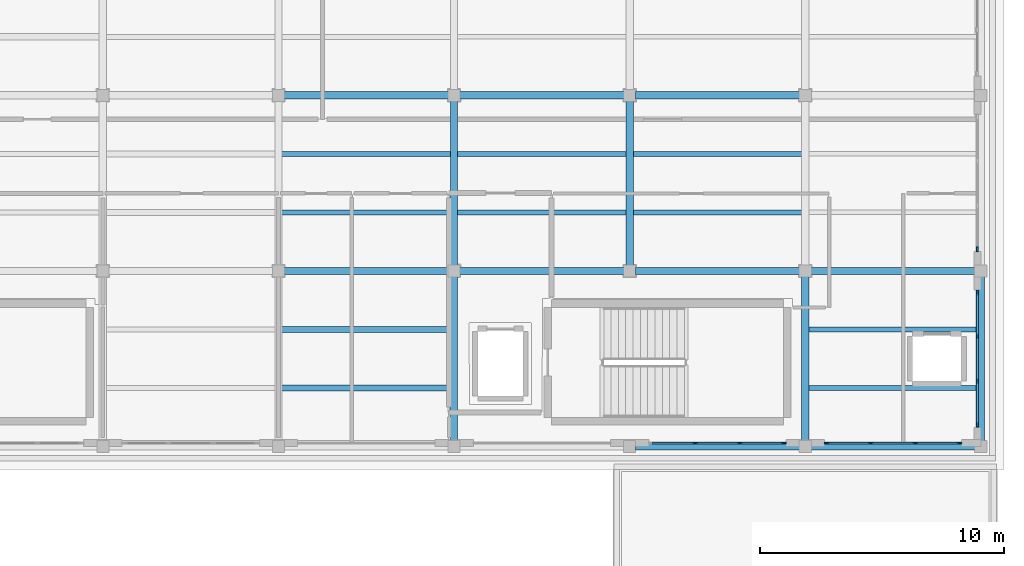
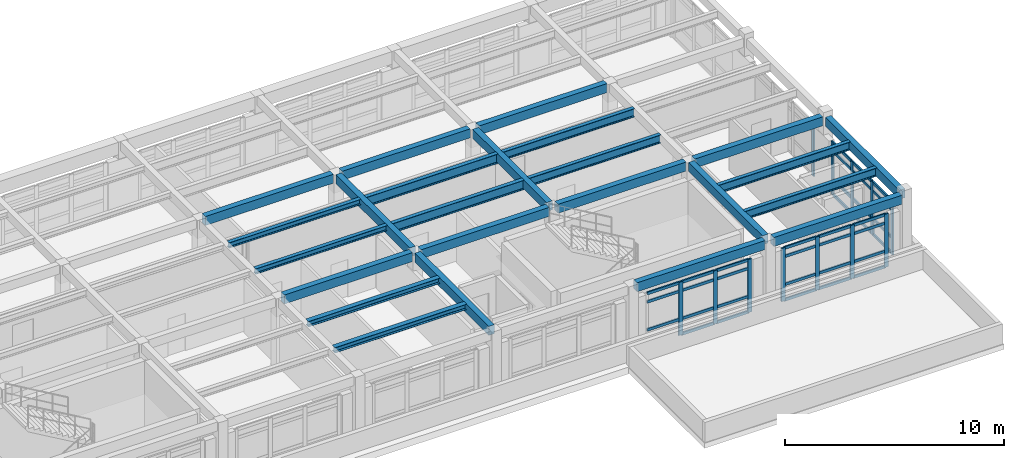
# One storey, part 5 of 15: 47 members, 24 beams, 4 elements without a shape of their own.
"""IFC4 building model written with IfcOpenShell, lengths in metres."""

from ifc_helpers import new_model, si_unit, direction, frame, origin, origin_2d, place, context, subcontext, project, spatial, rectangle, i_section, extrude, material, layer, layer_set, material_profile, profile_set, type_object, element, aggregate, save


model = new_model("IFC4")

# Units and contexts
model_context = context("Model", 3, precision=1e-05, world=origin(), true_north=direction((0.0, 1.0)))
body_context = subcontext(model_context, "Body", "Model", "MODEL_VIEW")
ifc_project = project(units=[si_unit("LENGTHUNIT", "METRE"), si_unit("AREAUNIT", "SQUARE_METRE"), si_unit("VOLUMEUNIT", "CUBIC_METRE"), si_unit("PLANEANGLEUNIT", "RADIAN"), si_unit("MASSUNIT", "GRAM", prefix="KILO")], contexts=[model_context])

# Site, building, storey
site_placement = place(None, origin())
site = spatial("IfcSite", under=ifc_project, at=site_placement, CompositionType="ELEMENT")
building_placement = place(site_placement, origin())
building = spatial("IfcBuilding", under=site, at=building_placement, Name="Solenvale Faculty of Natural Sciences", CompositionType="ELEMENT")
storey_placement = place(building_placement, frame((0.0, 0.0, 48.0)))
storey = spatial("IfcBuildingStorey", under=building, at=storey_placement, Name="L11", CompositionType="ELEMENT", Elevation=48.0)

# Beams
ifc_material_1 = material(Name="Concrete 40 MPa", Category="concrete")
ifc_material_profile_1 = material_profile(ifc_material_1, rectangle(XDim=0.300048828125, YDim=0.5, at=origin_2d()), Name="RC-BM-300x500")
ifc_profile_set_1 = profile_set([ifc_material_profile_1], Name="Concrete 40 MPa")
beam_type_1 = type_object("IfcBeamType", Name="BM-RC-300x500", PredefinedType="BEAM", material=ifc_profile_set_1)
for number, where, z_axis, x_axis, name in (
    (1, (137.030029296875, 93.60009765625, 3.669921875), (1.0, 0.0, 0.0), (0.0, 1.0, 0.0), "L11 X-Girder Y93.6 (136.8..144.0)"),
    (2, (144.22998046875, 93.60009765625, 3.669921875), (1.0, 0.0, 0.0), (0.0, 1.0, 0.0), "L11 X-Girder Y93.6 (144.0..151.2)"),
):
    element("IfcBeam", number, at=place(storey_placement, frame(where, z_axis=z_axis, x_axis=x_axis)), inside=storey, type_object=beam_type_1, Name=name, PredefinedType="BEAM", context=body_context, shape_type="SweptSolid", body=[
        extrude(rectangle(XDim=0.300048828125, YDim=0.5, at=origin_2d()), origin(), (0.0, 0.0, 1.0), 6.739990234375),
    ])
beam_1_placement = place(storey_placement, frame((122.6298828125, 100.800048828125, 3.669921875), z_axis=(1.0, 0.0, 0.0), x_axis=(0.0, 1.0, 0.0)))
element("IfcBeam", 3, at=beam_1_placement, inside=storey, type_object=beam_type_1, Name="L11 X-Girder Y100.8 (122.4..129.6)", PredefinedType="BEAM", context=body_context, shape_type="SweptSolid", body=[
    extrude(rectangle(XDim=0.300048828125, YDim=0.5, at=origin_2d()), origin(), (0.0, 0.0, 1.0), 6.740234375),
])
for number, where, z_axis, x_axis, name in (
    (4, (129.830078125, 100.800048828125, 3.669921875), (1.0, 0.0, 0.0), (0.0, 1.0, 0.0), "L11 X-Girder Y100.8 (129.6..136.8)"),
    (5, (137.030029296875, 100.800048828125, 3.669921875), (1.0, 0.0, 0.0), (0.0, 1.0, 0.0), "L11 X-Girder Y100.8 (136.8..144.0)"),
    (6, (144.22998046875, 100.800048828125, 3.669921875), (1.0, 0.0, 0.0), (0.0, 1.0, 0.0), "L11 X-Girder Y100.8 (144.0..151.2)"),
):
    element("IfcBeam", number, at=place(storey_placement, frame(where, z_axis=z_axis, x_axis=x_axis)), inside=storey, type_object=beam_type_1, Name=name, PredefinedType="BEAM", context=body_context, shape_type="SweptSolid", body=[
        extrude(rectangle(XDim=0.300048828125, YDim=0.5, at=origin_2d()), origin(), (0.0, 0.0, 1.0), 6.739990234375),
    ])
beam_2_placement = place(storey_placement, frame((122.6298828125, 108.0, 3.669921875), z_axis=(1.0, 0.0, 0.0), x_axis=(0.0, 1.0, 0.0)))
element("IfcBeam", 7, at=beam_2_placement, inside=storey, type_object=beam_type_1, Name="L11 X-Girder Y108.0 (122.4..129.6)", PredefinedType="BEAM", context=body_context, shape_type="SweptSolid", body=[
    extrude(rectangle(XDim=0.300048828125, YDim=0.5, at=origin_2d()), origin(), (0.0, 0.0, 1.0), 6.740234375),
])
for number, where, z_axis, x_axis, name in (
    (8, (129.830078125, 108.0, 3.669921875), (1.0, 0.0, 0.0), (0.0, 1.0, 0.0), "L11 X-Girder Y108.0 (129.6..136.8)"),
    (9, (137.030029296875, 108.0, 3.669921875), (1.0, 0.0, 0.0), (0.0, 1.0, 0.0), "L11 X-Girder Y108.0 (136.8..144.0)"),
    (10, (129.60009765625, 93.830078125, 3.669921875), (0.0, 1.0, 0.0), (-1.0, 0.0, 0.0), "L11 Y-Girder X129.6 (93.6..100.8)"),
    (11, (129.60009765625, 101.030029296875, 3.669921875), (0.0, 1.0, 0.0), (-1.0, 0.0, 0.0), "L11 Y-Girder X129.6 (100.8..108.0)"),
    (12, (136.800048828125, 101.030029296875, 3.669921875), (0.0, 1.0, 0.0), (-1.0, 0.0, 0.0), "L11 Y-Girder X136.8 (100.8..108.0)"),
    (13, (144.0, 93.830078125, 3.669921875), (0.0, 1.0, 0.0), (-1.0, 0.0, 0.0), "L11 Y-Girder X144.0 (93.6..100.8)"),
    (14, (151.199951171875, 93.830078125, 3.669921875), (0.0, 1.0, 0.0), (-1.0, 0.0, 0.0), "L11 Y-Girder X151.2 (93.6..100.8)"),
):
    element("IfcBeam", number, at=place(storey_placement, frame(where, z_axis=z_axis, x_axis=x_axis)), inside=storey, type_object=beam_type_1, Name=name, PredefinedType="BEAM", context=body_context, shape_type="SweptSolid", body=[
        extrude(rectangle(XDim=0.300048828125, YDim=0.5, at=origin_2d()), origin(), (0.0, 0.0, 1.0), 6.739990234375),
    ])
ifc_material_2 = material(Name="Steel S355", Category="steel")
ifc_material_profile_2 = material_profile(ifc_material_2, i_section(OverallWidth=0.202880859375, OverallDepth=0.302978515625, WebThickness=0.007568359375, FlangeThickness=0.01318359375, FilletRadius=0.014892578125, at=origin_2d()), Name="W310x60")
ifc_profile_set_2 = profile_set([ifc_material_profile_2], Name="Steel S355")
beam_type_2 = type_object("IfcBeamType", Name="BM-STL-W310x60", PredefinedType="JOIST", material=ifc_profile_set_2)
for number, where, z_axis, x_axis, name in (
    (15, (122.530029296875, 103.199951171875, 3.7685546875), (1.0, 0.0, 0.0), (0.0, 1.0, 0.0), "L11 Composite Floor Joist (18,15).1"),
    (16, (122.530029296875, 105.60009765625, 3.7685546875), (1.0, 0.0, 0.0), (0.0, 1.0, 0.0), "L11 Composite Floor Joist (18,15).2"),
):
    element("IfcBeam", number, at=place(storey_placement, frame(where, z_axis=z_axis, x_axis=x_axis)), inside=storey, type_object=beam_type_2, Name=name, PredefinedType="JOIST", context=body_context, shape_type="SweptSolid", body=[
        extrude(i_section(OverallWidth=0.202880859375, OverallDepth=0.302978515625, WebThickness=0.007568359375, FlangeThickness=0.01318359375, FilletRadius=0.014892578125, at=origin_2d()), origin(), (0.0, 0.0, 1.0), 6.93994140625),
    ])
ifc_material_profile_3 = material_profile(ifc_material_2, i_section(OverallWidth=0.25390625, OverallDepth=0.305908203125, WebThickness=0.0087890625, FlangeThickness=0.0146484375, FilletRadius=0.014892578125, at=origin_2d()), Name="W310x79")
ifc_profile_set_3 = profile_set([ifc_material_profile_3], Name="Steel S355")
beam_type_3 = type_object("IfcBeamType", Name="BM-STL-W310x79", PredefinedType="JOIST", material=ifc_profile_set_3)
for number, where, z_axis, x_axis, name in (
    (17, (122.530029296875, 96.0, 3.76708984375), (1.0, 0.0, 0.0), (0.0, 1.0, 0.0), "L11 Composite Floor Joist (18,14).1"),
    (18, (122.530029296875, 98.39990234375, 3.76708984375), (1.0, 0.0, 0.0), (0.0, 1.0, 0.0), "L11 Composite Floor Joist (18,14).2"),
):
    element("IfcBeam", number, at=place(storey_placement, frame(where, z_axis=z_axis, x_axis=x_axis)), inside=storey, type_object=beam_type_3, Name=name, PredefinedType="JOIST", context=body_context, shape_type="SweptSolid", body=[
        extrude(i_section(OverallWidth=0.25390625, OverallDepth=0.305908203125, WebThickness=0.0087890625, FlangeThickness=0.0146484375, FilletRadius=0.014892578125, at=origin_2d()), origin(), (0.0, 0.0, 1.0), 6.93994140625),
    ])
ifc_material_profile_4 = material_profile(ifc_material_2, i_section(OverallWidth=0.194091796875, OverallDepth=0.468994140625, WebThickness=0.0126953125, FlangeThickness=0.0205078125, FilletRadius=0.01806640625, at=origin_2d()), Name="W460x106")
ifc_profile_set_4 = profile_set([ifc_material_profile_4], Name="Steel S355")
beam_type_4 = type_object("IfcBeamType", Name="BM-STL-W460x106", PredefinedType="JOIST", material=ifc_profile_set_4)
for number, where, z_axis, x_axis, name in (
    (19, (136.929931640625, 103.199951171875, 3.685546875), (1.0, 0.0, 0.0), (0.0, 1.0, 0.0), "L11 Composite Floor Joist (20,15).1"),
    (20, (136.929931640625, 105.60009765625, 3.685546875), (1.0, 0.0, 0.0), (0.0, 1.0, 0.0), "L11 Composite Floor Joist (20,15).2"),
    (21, (144.1298828125, 96.0, 3.685546875), (1.0, 0.0, 0.0), (0.0, 1.0, 0.0), "L11 Composite Floor Joist (21,14).1"),
    (22, (144.1298828125, 98.39990234375, 3.685546875), (1.0, 0.0, 0.0), (0.0, 1.0, 0.0), "L11 Composite Floor Joist (21,14).2"),
):
    element("IfcBeam", number, at=place(storey_placement, frame(where, z_axis=z_axis, x_axis=x_axis)), inside=storey, type_object=beam_type_4, Name=name, PredefinedType="JOIST", context=body_context, shape_type="SweptSolid", body=[
        extrude(i_section(OverallWidth=0.194091796875, OverallDepth=0.468994140625, WebThickness=0.0126953125, FlangeThickness=0.0205078125, FilletRadius=0.01806640625, at=origin_2d()), origin(), (0.0, 0.0, 1.0), 6.940185546875),
    ])
ifc_material_profile_5 = material_profile(ifc_material_2, i_section(OverallWidth=0.208984375, OverallDepth=0.532958984375, WebThickness=0.01025390625, FlangeThickness=0.015625, FilletRadius=0.01904296875, at=origin_2d()), Name="W530x92")
ifc_profile_set_5 = profile_set([ifc_material_profile_5], Name="Steel S355")
beam_type_5 = type_object("IfcBeamType", Name="BM-STL-W530x92", PredefinedType="JOIST", material=ifc_profile_set_5)
for number, where, z_axis, x_axis, name in (
    (23, (129.72998046875, 103.199951171875, 3.653564453125), (1.0, 0.0, 0.0), (0.0, 1.0, 0.0), "L11 Composite Floor Joist (19,15).1"),
    (24, (129.72998046875, 105.60009765625, 3.653564453125), (1.0, 0.0, 0.0), (0.0, 1.0, 0.0), "L11 Composite Floor Joist (19,15).2"),
):
    element("IfcBeam", number, at=place(storey_placement, frame(where, z_axis=z_axis, x_axis=x_axis)), inside=storey, type_object=beam_type_5, Name=name, PredefinedType="JOIST", context=body_context, shape_type="SweptSolid", body=[
        extrude(i_section(OverallWidth=0.208984375, OverallDepth=0.532958984375, WebThickness=0.01025390625, FlangeThickness=0.015625, FilletRadius=0.01904296875, at=origin_2d()), origin(), (0.0, 0.0, 1.0), 6.93994140625),
    ])

# Curtain wall, members
ifc_material_3 = material(Name="Anodised bronze aluminium", Category="aluminium")
ifc_layer = layer(ifc_material_3, 0.179931640625)
ifc_layer_set = layer_set([ifc_layer], Name="Anodised bronze aluminium")
curtain_wall_type = type_object("IfcCurtainWallType", Name="CW-TWR-MOD", PredefinedType="USERDEFINED", material=ifc_layer_set)
curtain_wall_1_placement = place(storey_placement, origin())
curtain_wall_1 = element("IfcCurtainWall", 25, at=curtain_wall_1_placement, inside=storey, type_object=curtain_wall_type, Name="L11 Curtain Wall CW-L11-P1-E1-B1", ObjectType="UNITISED CURTAIN WALL", PredefinedType="USERDEFINED")
ifc_material_profile_6 = material_profile(ifc_material_3, rectangle(XDim=0.074951171875, YDim=0.2099609375, at=origin_2d()), Name="ALU-MUL-75x210")
ifc_profile_set_6 = profile_set([ifc_material_profile_6], Name="Anodised bronze aluminium")
member_type_1 = type_object("IfcMemberType", Name="CWM-ALU-75x210", PredefinedType="MULLION", material=ifc_profile_set_6)
member_1_placement = place(storey_placement, frame((151.0576171875, 94.487548828125, 0.0), z_axis=(0.0, 0.0, 1.0), x_axis=(-1.0, 0.0, 0.0)))
member_1 = element("IfcMember", 26, at=member_1_placement, type_object=member_type_1, Name="CW-04 mullion 1", PredefinedType="MULLION", context=body_context, shape_type="SweptSolid", body=[
    extrude(rectangle(XDim=0.074951171875, YDim=0.2099609375, at=origin_2d()), origin(), (0.0, 0.0, 1.0), 2.9599609375),
])
member_2_placement = place(storey_placement, frame((151.0576171875, 96.283447265625, 0.0), z_axis=(0.0, 0.0, 1.0), x_axis=(-1.0, 0.0, 0.0)))
member_2 = element("IfcMember", 27, at=member_2_placement, type_object=member_type_1, Name="CW-04 mullion 2", PredefinedType="MULLION", context=body_context, shape_type="SweptSolid", body=[
    extrude(rectangle(XDim=0.074951171875, YDim=0.2099609375, at=origin_2d()), origin(), (0.0, 0.0, 1.0), 2.9599609375),
])
member_3_placement = place(storey_placement, frame((151.0576171875, 98.11669921875, 0.0), z_axis=(0.0, 0.0, 1.0), x_axis=(-1.0, 0.0, 0.0)))
member_3 = element("IfcMember", 28, at=member_3_placement, type_object=member_type_1, Name="CW-04 mullion 3", PredefinedType="MULLION", context=body_context, shape_type="SweptSolid", body=[
    extrude(rectangle(XDim=0.074951171875, YDim=0.2099609375, at=origin_2d()), origin(), (0.0, 0.0, 1.0), 2.9599609375),
])
member_4_placement = place(storey_placement, frame((151.0576171875, 99.91259765625, 0.0), z_axis=(0.0, 0.0, 1.0), x_axis=(-1.0, 0.0, 0.0)))
member_4 = element("IfcMember", 29, at=member_4_placement, type_object=member_type_1, Name="CW-04 mullion 4", PredefinedType="MULLION", context=body_context, shape_type="SweptSolid", body=[
    extrude(rectangle(XDim=0.074951171875, YDim=0.2099609375, at=origin_2d()), origin(), (0.0, 0.0, 1.0), 2.9599609375),
])

# Curtain wall, member
curtain_wall_2_placement = place(storey_placement, origin())
curtain_wall_2 = element("IfcCurtainWall", 30, at=curtain_wall_2_placement, inside=storey, type_object=curtain_wall_type, Name="L11 Curtain Wall CW-L11-P1-E1-B2", ObjectType="UNITISED CURTAIN WALL", PredefinedType="USERDEFINED")
member_5_placement = place(storey_placement, frame((151.0576171875, 101.6875, 0.0), z_axis=(0.0, 0.0, 1.0), x_axis=(-1.0, 0.0, 0.0)))
member_5 = element("IfcMember", 31, at=member_5_placement, type_object=member_type_1, Name="CW-04 mullion 1", PredefinedType="MULLION", context=body_context, shape_type="SweptSolid", body=[
    extrude(rectangle(XDim=0.074951171875, YDim=0.2099609375, at=origin_2d()), origin(), (0.0, 0.0, 1.0), 2.9599609375),
])
aggregate(curtain_wall_2, [member_5])

# Curtain wall, members
curtain_wall_3_placement = place(storey_placement, origin())
curtain_wall_3 = element("IfcCurtainWall", 32, at=curtain_wall_3_placement, inside=storey, type_object=curtain_wall_type, Name="L11 Curtain Wall CW-L11-P1-E4-B6", ObjectType="UNITISED CURTAIN WALL", PredefinedType="USERDEFINED")
member_6_placement = place(storey_placement, frame((139.4833984375, 93.742431640625, 0.0), z_axis=(0.0, 0.0, 1.0), x_axis=(0.0, 1.0, 0.0)))
member_6 = element("IfcMember", 33, at=member_6_placement, type_object=member_type_1, Name="CW-04 mullion 2", PredefinedType="MULLION", context=body_context, shape_type="SweptSolid", body=[
    extrude(rectangle(XDim=0.074951171875, YDim=0.2099609375, at=origin_2d()), origin(), (0.0, 0.0, 1.0), 2.9599609375),
])
member_7_placement = place(storey_placement, frame((141.316650390625, 93.742431640625, 0.0), z_axis=(0.0, 0.0, 1.0), x_axis=(0.0, 1.0, 0.0)))
member_7 = element("IfcMember", 34, at=member_7_placement, type_object=member_type_1, Name="CW-04 mullion 3", PredefinedType="MULLION", context=body_context, shape_type="SweptSolid", body=[
    extrude(rectangle(XDim=0.074951171875, YDim=0.2099609375, at=origin_2d()), origin(), (0.0, 0.0, 1.0), 2.9599609375),
])
member_8_placement = place(storey_placement, frame((143.112548828125, 93.742431640625, 0.0), z_axis=(0.0, 0.0, 1.0), x_axis=(0.0, 1.0, 0.0)))
member_8 = element("IfcMember", 35, at=member_8_placement, type_object=member_type_1, Name="CW-04 mullion 4", PredefinedType="MULLION", context=body_context, shape_type="SweptSolid", body=[
    extrude(rectangle(XDim=0.074951171875, YDim=0.2099609375, at=origin_2d()), origin(), (0.0, 0.0, 1.0), 2.9599609375),
])

curtain_wall_4_placement = place(storey_placement, origin())
curtain_wall_4 = element("IfcCurtainWall", 36, at=curtain_wall_4_placement, inside=storey, type_object=curtain_wall_type, Name="L11 Curtain Wall CW-L11-P1-E4-B7", ObjectType="UNITISED CURTAIN WALL", PredefinedType="USERDEFINED")
member_9_placement = place(storey_placement, frame((144.887451171875, 93.742431640625, 0.0), z_axis=(0.0, 0.0, 1.0), x_axis=(0.0, 1.0, 0.0)))
member_9 = element("IfcMember", 37, at=member_9_placement, type_object=member_type_1, Name="CW-04 mullion 1", PredefinedType="MULLION", context=body_context, shape_type="SweptSolid", body=[
    extrude(rectangle(XDim=0.074951171875, YDim=0.2099609375, at=origin_2d()), origin(), (0.0, 0.0, 1.0), 2.9599609375),
])
member_10_placement = place(storey_placement, frame((146.683349609375, 93.742431640625, 0.0), z_axis=(0.0, 0.0, 1.0), x_axis=(0.0, 1.0, 0.0)))
member_10 = element("IfcMember", 38, at=member_10_placement, type_object=member_type_1, Name="CW-04 mullion 2", PredefinedType="MULLION", context=body_context, shape_type="SweptSolid", body=[
    extrude(rectangle(XDim=0.074951171875, YDim=0.2099609375, at=origin_2d()), origin(), (0.0, 0.0, 1.0), 2.9599609375),
])
member_11_placement = place(storey_placement, frame((148.5166015625, 93.742431640625, 0.0), z_axis=(0.0, 0.0, 1.0), x_axis=(0.0, 1.0, 0.0)))
member_11 = element("IfcMember", 39, at=member_11_placement, type_object=member_type_1, Name="CW-04 mullion 3", PredefinedType="MULLION", context=body_context, shape_type="SweptSolid", body=[
    extrude(rectangle(XDim=0.074951171875, YDim=0.2099609375, at=origin_2d()), origin(), (0.0, 0.0, 1.0), 2.9599609375),
])
member_12_placement = place(storey_placement, frame((150.3125, 93.742431640625, 0.0), z_axis=(0.0, 0.0, 1.0), x_axis=(0.0, 1.0, 0.0)))
member_12 = element("IfcMember", 40, at=member_12_placement, type_object=member_type_1, Name="CW-04 mullion 4", PredefinedType="MULLION", context=body_context, shape_type="SweptSolid", body=[
    extrude(rectangle(XDim=0.074951171875, YDim=0.2099609375, at=origin_2d()), origin(), (0.0, 0.0, 1.0), 2.9599609375),
])

# Member
ifc_material_profile_7 = material_profile(ifc_material_3, rectangle(XDim=0.074951171875, YDim=0.155029296875, at=origin_2d()), Name="ALU-TRN-75x155")
ifc_profile_set_7 = profile_set([ifc_material_profile_7], Name="Anodised bronze aluminium")
member_type_2 = type_object("IfcMemberType", Name="CWT-ALU-75x155", PredefinedType="USERDEFINED", material=ifc_profile_set_7)
member_13_placement = place(storey_placement, frame((151.0576171875, 94.52490234375, 0.03759765625), z_axis=(0.0, 1.0, 0.0), x_axis=(-1.0, 0.0, 0.0)))
member_13 = element("IfcMember", 41, at=member_13_placement, type_object=member_type_2, Name="CW-04 transom 1.1", ObjectType="TRANSOM", PredefinedType="USERDEFINED", context=body_context, shape_type="SweptSolid", body=[
    extrude(rectangle(XDim=0.074951171875, YDim=0.155029296875, at=origin_2d()), origin(), (0.0, 0.0, 1.0), 1.720947265625),
])

member_14_placement = place(storey_placement, frame((151.0576171875, 94.52490234375, 0.89990234375), z_axis=(0.0, 1.0, 0.0), x_axis=(-1.0, 0.0, 0.0)))
member_14 = element("IfcMember", 42, at=member_14_placement, type_object=member_type_2, Name="CW-04 transom 1.2", ObjectType="TRANSOM", PredefinedType="USERDEFINED", context=body_context, shape_type="SweptSolid", body=[
    extrude(rectangle(XDim=0.074951171875, YDim=0.155029296875, at=origin_2d()), origin(), (0.0, 0.0, 1.0), 1.720947265625),
])

member_15_placement = place(storey_placement, frame((151.0576171875, 94.52490234375, 2.4599609375), z_axis=(0.0, 1.0, 0.0), x_axis=(-1.0, 0.0, 0.0)))
member_15 = element("IfcMember", 43, at=member_15_placement, type_object=member_type_2, Name="CW-04 transom 1.3", ObjectType="TRANSOM", PredefinedType="USERDEFINED", context=body_context, shape_type="SweptSolid", body=[
    extrude(rectangle(XDim=0.074951171875, YDim=0.155029296875, at=origin_2d()), origin(), (0.0, 0.0, 1.0), 1.720947265625),
])

member_16_placement = place(storey_placement, frame((151.0576171875, 94.52490234375, 2.922607421875), z_axis=(0.0, 1.0, 0.0), x_axis=(-1.0, 0.0, 0.0)))
member_16 = element("IfcMember", 44, at=member_16_placement, type_object=member_type_2, Name="CW-04 transom 1.4", ObjectType="TRANSOM", PredefinedType="USERDEFINED", context=body_context, shape_type="SweptSolid", body=[
    extrude(rectangle(XDim=0.074951171875, YDim=0.155029296875, at=origin_2d()), origin(), (0.0, 0.0, 1.0), 1.720947265625),
])

member_17_placement = place(storey_placement, frame((151.0576171875, 96.32080078125, 0.03759765625), z_axis=(0.0, 1.0, 0.0), x_axis=(-1.0, 0.0, 0.0)))
member_17 = element("IfcMember", 45, at=member_17_placement, type_object=member_type_2, Name="CW-04 transom 2.1", ObjectType="TRANSOM", PredefinedType="USERDEFINED", context=body_context, shape_type="SweptSolid", body=[
    extrude(rectangle(XDim=0.074951171875, YDim=0.155029296875, at=origin_2d()), origin(), (0.0, 0.0, 1.0), 1.75830078125),
])

member_18_placement = place(storey_placement, frame((151.0576171875, 96.32080078125, 0.89990234375), z_axis=(0.0, 1.0, 0.0), x_axis=(-1.0, 0.0, 0.0)))
member_18 = element("IfcMember", 46, at=member_18_placement, type_object=member_type_2, Name="CW-04 transom 2.2", ObjectType="TRANSOM", PredefinedType="USERDEFINED", context=body_context, shape_type="SweptSolid", body=[
    extrude(rectangle(XDim=0.074951171875, YDim=0.155029296875, at=origin_2d()), origin(), (0.0, 0.0, 1.0), 1.75830078125),
])

member_19_placement = place(storey_placement, frame((151.0576171875, 96.32080078125, 2.4599609375), z_axis=(0.0, 1.0, 0.0), x_axis=(-1.0, 0.0, 0.0)))
member_19 = element("IfcMember", 47, at=member_19_placement, type_object=member_type_2, Name="CW-04 transom 2.3", ObjectType="TRANSOM", PredefinedType="USERDEFINED", context=body_context, shape_type="SweptSolid", body=[
    extrude(rectangle(XDim=0.074951171875, YDim=0.155029296875, at=origin_2d()), origin(), (0.0, 0.0, 1.0), 1.75830078125),
])

member_20_placement = place(storey_placement, frame((151.0576171875, 96.32080078125, 2.922607421875), z_axis=(0.0, 1.0, 0.0), x_axis=(-1.0, 0.0, 0.0)))
member_20 = element("IfcMember", 48, at=member_20_placement, type_object=member_type_2, Name="CW-04 transom 2.4", ObjectType="TRANSOM", PredefinedType="USERDEFINED", context=body_context, shape_type="SweptSolid", body=[
    extrude(rectangle(XDim=0.074951171875, YDim=0.155029296875, at=origin_2d()), origin(), (0.0, 0.0, 1.0), 1.75830078125),
])

member_21_placement = place(storey_placement, frame((151.0576171875, 98.154052734375, 0.03759765625), z_axis=(0.0, 1.0, 0.0), x_axis=(-1.0, 0.0, 0.0)))
member_21 = element("IfcMember", 49, at=member_21_placement, type_object=member_type_2, Name="CW-04 transom 3.1", ObjectType="TRANSOM", PredefinedType="USERDEFINED", context=body_context, shape_type="SweptSolid", body=[
    extrude(rectangle(XDim=0.074951171875, YDim=0.155029296875, at=origin_2d()), origin(), (0.0, 0.0, 1.0), 1.720947265625),
])

member_22_placement = place(storey_placement, frame((151.0576171875, 98.154052734375, 0.89990234375), z_axis=(0.0, 1.0, 0.0), x_axis=(-1.0, 0.0, 0.0)))
member_22 = element("IfcMember", 50, at=member_22_placement, type_object=member_type_2, Name="CW-04 transom 3.2", ObjectType="TRANSOM", PredefinedType="USERDEFINED", context=body_context, shape_type="SweptSolid", body=[
    extrude(rectangle(XDim=0.074951171875, YDim=0.155029296875, at=origin_2d()), origin(), (0.0, 0.0, 1.0), 1.720947265625),
])

member_23_placement = place(storey_placement, frame((151.0576171875, 98.154052734375, 2.4599609375), z_axis=(0.0, 1.0, 0.0), x_axis=(-1.0, 0.0, 0.0)))
member_23 = element("IfcMember", 51, at=member_23_placement, type_object=member_type_2, Name="CW-04 transom 3.3", ObjectType="TRANSOM", PredefinedType="USERDEFINED", context=body_context, shape_type="SweptSolid", body=[
    extrude(rectangle(XDim=0.074951171875, YDim=0.155029296875, at=origin_2d()), origin(), (0.0, 0.0, 1.0), 1.720947265625),
])

member_24_placement = place(storey_placement, frame((151.0576171875, 98.154052734375, 2.922607421875), z_axis=(0.0, 1.0, 0.0), x_axis=(-1.0, 0.0, 0.0)))
member_24 = element("IfcMember", 52, at=member_24_placement, type_object=member_type_2, Name="CW-04 transom 3.4", ObjectType="TRANSOM", PredefinedType="USERDEFINED", context=body_context, shape_type="SweptSolid", body=[
    extrude(rectangle(XDim=0.074951171875, YDim=0.155029296875, at=origin_2d()), origin(), (0.0, 0.0, 1.0), 1.720947265625),
])

aggregate(curtain_wall_1, [member_1, member_2, member_3, member_4, member_13, member_14, member_15, member_16, member_17, member_18, member_19, member_20, member_21, member_22, member_23, member_24])

member_25_placement = place(storey_placement, frame((137.72509765625, 93.742431640625, 0.89990234375), z_axis=(1.0, 0.0, 0.0), x_axis=(0.0, 1.0, 0.0)))
member_25 = element("IfcMember", 53, at=member_25_placement, type_object=member_type_2, Name="CW-04 transom 1.2", ObjectType="TRANSOM", PredefinedType="USERDEFINED", context=body_context, shape_type="SweptSolid", body=[
    extrude(rectangle(XDim=0.074951171875, YDim=0.155029296875, at=origin_2d()), origin(), (0.0, 0.0, 1.0), 1.720703125),
])

member_26_placement = place(storey_placement, frame((137.72509765625, 93.742431640625, 2.4599609375), z_axis=(1.0, 0.0, 0.0), x_axis=(0.0, 1.0, 0.0)))
member_26 = element("IfcMember", 54, at=member_26_placement, type_object=member_type_2, Name="CW-04 transom 1.3", ObjectType="TRANSOM", PredefinedType="USERDEFINED", context=body_context, shape_type="SweptSolid", body=[
    extrude(rectangle(XDim=0.074951171875, YDim=0.155029296875, at=origin_2d()), origin(), (0.0, 0.0, 1.0), 1.720703125),
])

member_27_placement = place(storey_placement, frame((137.72509765625, 93.742431640625, 2.922607421875), z_axis=(1.0, 0.0, 0.0), x_axis=(0.0, 1.0, 0.0)))
member_27 = element("IfcMember", 55, at=member_27_placement, type_object=member_type_2, Name="CW-04 transom 1.4", ObjectType="TRANSOM", PredefinedType="USERDEFINED", context=body_context, shape_type="SweptSolid", body=[
    extrude(rectangle(XDim=0.074951171875, YDim=0.155029296875, at=origin_2d()), origin(), (0.0, 0.0, 1.0), 1.720703125),
])

member_28_placement = place(storey_placement, frame((139.520751953125, 93.742431640625, 0.03759765625), z_axis=(1.0, 0.0, 0.0), x_axis=(0.0, 1.0, 0.0)))
member_28 = element("IfcMember", 56, at=member_28_placement, type_object=member_type_2, Name="CW-04 transom 2.1", ObjectType="TRANSOM", PredefinedType="USERDEFINED", context=body_context, shape_type="SweptSolid", body=[
    extrude(rectangle(XDim=0.074951171875, YDim=0.155029296875, at=origin_2d()), origin(), (0.0, 0.0, 1.0), 1.75830078125),
])

member_29_placement = place(storey_placement, frame((139.520751953125, 93.742431640625, 0.89990234375), z_axis=(1.0, 0.0, 0.0), x_axis=(0.0, 1.0, 0.0)))
member_29 = element("IfcMember", 57, at=member_29_placement, type_object=member_type_2, Name="CW-04 transom 2.2", ObjectType="TRANSOM", PredefinedType="USERDEFINED", context=body_context, shape_type="SweptSolid", body=[
    extrude(rectangle(XDim=0.074951171875, YDim=0.155029296875, at=origin_2d()), origin(), (0.0, 0.0, 1.0), 1.75830078125),
])

member_30_placement = place(storey_placement, frame((139.520751953125, 93.742431640625, 2.4599609375), z_axis=(1.0, 0.0, 0.0), x_axis=(0.0, 1.0, 0.0)))
member_30 = element("IfcMember", 58, at=member_30_placement, type_object=member_type_2, Name="CW-04 transom 2.3", ObjectType="TRANSOM", PredefinedType="USERDEFINED", context=body_context, shape_type="SweptSolid", body=[
    extrude(rectangle(XDim=0.074951171875, YDim=0.155029296875, at=origin_2d()), origin(), (0.0, 0.0, 1.0), 1.75830078125),
])

member_31_placement = place(storey_placement, frame((139.520751953125, 93.742431640625, 2.922607421875), z_axis=(1.0, 0.0, 0.0), x_axis=(0.0, 1.0, 0.0)))
member_31 = element("IfcMember", 59, at=member_31_placement, type_object=member_type_2, Name="CW-04 transom 2.4", ObjectType="TRANSOM", PredefinedType="USERDEFINED", context=body_context, shape_type="SweptSolid", body=[
    extrude(rectangle(XDim=0.074951171875, YDim=0.155029296875, at=origin_2d()), origin(), (0.0, 0.0, 1.0), 1.75830078125),
])

member_32_placement = place(storey_placement, frame((141.354248046875, 93.742431640625, 0.03759765625), z_axis=(1.0, 0.0, 0.0), x_axis=(0.0, 1.0, 0.0)))
member_32 = element("IfcMember", 60, at=member_32_placement, type_object=member_type_2, Name="CW-04 transom 3.1", ObjectType="TRANSOM", PredefinedType="USERDEFINED", context=body_context, shape_type="SweptSolid", body=[
    extrude(rectangle(XDim=0.074951171875, YDim=0.155029296875, at=origin_2d()), origin(), (0.0, 0.0, 1.0), 1.720703125),
])

member_33_placement = place(storey_placement, frame((141.354248046875, 93.742431640625, 0.89990234375), z_axis=(1.0, 0.0, 0.0), x_axis=(0.0, 1.0, 0.0)))
member_33 = element("IfcMember", 61, at=member_33_placement, type_object=member_type_2, Name="CW-04 transom 3.2", ObjectType="TRANSOM", PredefinedType="USERDEFINED", context=body_context, shape_type="SweptSolid", body=[
    extrude(rectangle(XDim=0.074951171875, YDim=0.155029296875, at=origin_2d()), origin(), (0.0, 0.0, 1.0), 1.720703125),
])

member_34_placement = place(storey_placement, frame((141.354248046875, 93.742431640625, 2.4599609375), z_axis=(1.0, 0.0, 0.0), x_axis=(0.0, 1.0, 0.0)))
member_34 = element("IfcMember", 62, at=member_34_placement, type_object=member_type_2, Name="CW-04 transom 3.3", ObjectType="TRANSOM", PredefinedType="USERDEFINED", context=body_context, shape_type="SweptSolid", body=[
    extrude(rectangle(XDim=0.074951171875, YDim=0.155029296875, at=origin_2d()), origin(), (0.0, 0.0, 1.0), 1.720703125),
])

member_35_placement = place(storey_placement, frame((141.354248046875, 93.742431640625, 2.922607421875), z_axis=(1.0, 0.0, 0.0), x_axis=(0.0, 1.0, 0.0)))
member_35 = element("IfcMember", 63, at=member_35_placement, type_object=member_type_2, Name="CW-04 transom 3.4", ObjectType="TRANSOM", PredefinedType="USERDEFINED", context=body_context, shape_type="SweptSolid", body=[
    extrude(rectangle(XDim=0.074951171875, YDim=0.155029296875, at=origin_2d()), origin(), (0.0, 0.0, 1.0), 1.720703125),
])

aggregate(curtain_wall_3, [member_6, member_7, member_8, member_25, member_26, member_27, member_28, member_29, member_30, member_31, member_32, member_33, member_34, member_35])

member_36_placement = place(storey_placement, frame((144.925048828125, 93.742431640625, 0.03759765625), z_axis=(1.0, 0.0, 0.0), x_axis=(0.0, 1.0, 0.0)))
member_36 = element("IfcMember", 64, at=member_36_placement, type_object=member_type_2, Name="CW-04 transom 1.1", ObjectType="TRANSOM", PredefinedType="USERDEFINED", context=body_context, shape_type="SweptSolid", body=[
    extrude(rectangle(XDim=0.074951171875, YDim=0.155029296875, at=origin_2d()), origin(), (0.0, 0.0, 1.0), 1.720703125),
])

member_37_placement = place(storey_placement, frame((144.925048828125, 93.742431640625, 0.89990234375), z_axis=(1.0, 0.0, 0.0), x_axis=(0.0, 1.0, 0.0)))
member_37 = element("IfcMember", 65, at=member_37_placement, type_object=member_type_2, Name="CW-04 transom 1.2", ObjectType="TRANSOM", PredefinedType="USERDEFINED", context=body_context, shape_type="SweptSolid", body=[
    extrude(rectangle(XDim=0.074951171875, YDim=0.155029296875, at=origin_2d()), origin(), (0.0, 0.0, 1.0), 1.720703125),
])

member_38_placement = place(storey_placement, frame((144.925048828125, 93.742431640625, 2.4599609375), z_axis=(1.0, 0.0, 0.0), x_axis=(0.0, 1.0, 0.0)))
member_38 = element("IfcMember", 66, at=member_38_placement, type_object=member_type_2, Name="CW-04 transom 1.3", ObjectType="TRANSOM", PredefinedType="USERDEFINED", context=body_context, shape_type="SweptSolid", body=[
    extrude(rectangle(XDim=0.074951171875, YDim=0.155029296875, at=origin_2d()), origin(), (0.0, 0.0, 1.0), 1.720703125),
])

member_39_placement = place(storey_placement, frame((144.925048828125, 93.742431640625, 2.922607421875), z_axis=(1.0, 0.0, 0.0), x_axis=(0.0, 1.0, 0.0)))
member_39 = element("IfcMember", 67, at=member_39_placement, type_object=member_type_2, Name="CW-04 transom 1.4", ObjectType="TRANSOM", PredefinedType="USERDEFINED", context=body_context, shape_type="SweptSolid", body=[
    extrude(rectangle(XDim=0.074951171875, YDim=0.155029296875, at=origin_2d()), origin(), (0.0, 0.0, 1.0), 1.720703125),
])

member_40_placement = place(storey_placement, frame((146.720947265625, 93.742431640625, 0.03759765625), z_axis=(1.0, 0.0, 0.0), x_axis=(0.0, 1.0, 0.0)))
member_40 = element("IfcMember", 68, at=member_40_placement, type_object=member_type_2, Name="CW-04 transom 2.1", ObjectType="TRANSOM", PredefinedType="USERDEFINED", context=body_context, shape_type="SweptSolid", body=[
    extrude(rectangle(XDim=0.074951171875, YDim=0.155029296875, at=origin_2d()), origin(), (0.0, 0.0, 1.0), 1.75830078125),
])

member_41_placement = place(storey_placement, frame((146.720947265625, 93.742431640625, 0.89990234375), z_axis=(1.0, 0.0, 0.0), x_axis=(0.0, 1.0, 0.0)))
member_41 = element("IfcMember", 69, at=member_41_placement, type_object=member_type_2, Name="CW-04 transom 2.2", ObjectType="TRANSOM", PredefinedType="USERDEFINED", context=body_context, shape_type="SweptSolid", body=[
    extrude(rectangle(XDim=0.074951171875, YDim=0.155029296875, at=origin_2d()), origin(), (0.0, 0.0, 1.0), 1.75830078125),
])

member_42_placement = place(storey_placement, frame((146.720947265625, 93.742431640625, 2.4599609375), z_axis=(1.0, 0.0, 0.0), x_axis=(0.0, 1.0, 0.0)))
member_42 = element("IfcMember", 70, at=member_42_placement, type_object=member_type_2, Name="CW-04 transom 2.3", ObjectType="TRANSOM", PredefinedType="USERDEFINED", context=body_context, shape_type="SweptSolid", body=[
    extrude(rectangle(XDim=0.074951171875, YDim=0.155029296875, at=origin_2d()), origin(), (0.0, 0.0, 1.0), 1.75830078125),
])

member_43_placement = place(storey_placement, frame((146.720947265625, 93.742431640625, 2.922607421875), z_axis=(1.0, 0.0, 0.0), x_axis=(0.0, 1.0, 0.0)))
member_43 = element("IfcMember", 71, at=member_43_placement, type_object=member_type_2, Name="CW-04 transom 2.4", ObjectType="TRANSOM", PredefinedType="USERDEFINED", context=body_context, shape_type="SweptSolid", body=[
    extrude(rectangle(XDim=0.074951171875, YDim=0.155029296875, at=origin_2d()), origin(), (0.0, 0.0, 1.0), 1.75830078125),
])

member_44_placement = place(storey_placement, frame((148.55419921875, 93.742431640625, 0.03759765625), z_axis=(1.0, 0.0, 0.0), x_axis=(0.0, 1.0, 0.0)))
member_44 = element("IfcMember", 72, at=member_44_placement, type_object=member_type_2, Name="CW-04 transom 3.1", ObjectType="TRANSOM", PredefinedType="USERDEFINED", context=body_context, shape_type="SweptSolid", body=[
    extrude(rectangle(XDim=0.074951171875, YDim=0.155029296875, at=origin_2d()), origin(), (0.0, 0.0, 1.0), 1.720703125),
])

member_45_placement = place(storey_placement, frame((148.55419921875, 93.742431640625, 0.89990234375), z_axis=(1.0, 0.0, 0.0), x_axis=(0.0, 1.0, 0.0)))
member_45 = element("IfcMember", 73, at=member_45_placement, type_object=member_type_2, Name="CW-04 transom 3.2", ObjectType="TRANSOM", PredefinedType="USERDEFINED", context=body_context, shape_type="SweptSolid", body=[
    extrude(rectangle(XDim=0.074951171875, YDim=0.155029296875, at=origin_2d()), origin(), (0.0, 0.0, 1.0), 1.720703125),
])

member_46_placement = place(storey_placement, frame((148.55419921875, 93.742431640625, 2.4599609375), z_axis=(1.0, 0.0, 0.0), x_axis=(0.0, 1.0, 0.0)))
member_46 = element("IfcMember", 74, at=member_46_placement, type_object=member_type_2, Name="CW-04 transom 3.3", ObjectType="TRANSOM", PredefinedType="USERDEFINED", context=body_context, shape_type="SweptSolid", body=[
    extrude(rectangle(XDim=0.074951171875, YDim=0.155029296875, at=origin_2d()), origin(), (0.0, 0.0, 1.0), 1.720703125),
])

member_47_placement = place(storey_placement, frame((148.55419921875, 93.742431640625, 2.922607421875), z_axis=(1.0, 0.0, 0.0), x_axis=(0.0, 1.0, 0.0)))
member_47 = element("IfcMember", 75, at=member_47_placement, type_object=member_type_2, Name="CW-04 transom 3.4", ObjectType="TRANSOM", PredefinedType="USERDEFINED", context=body_context, shape_type="SweptSolid", body=[
    extrude(rectangle(XDim=0.074951171875, YDim=0.155029296875, at=origin_2d()), origin(), (0.0, 0.0, 1.0), 1.720703125),
])

aggregate(curtain_wall_4, [member_9, member_10, member_11, member_12, member_36, member_37, member_38, member_39, member_40, member_41, member_42, member_43, member_44, member_45, member_46, member_47])

save(model, "model.ifc")
